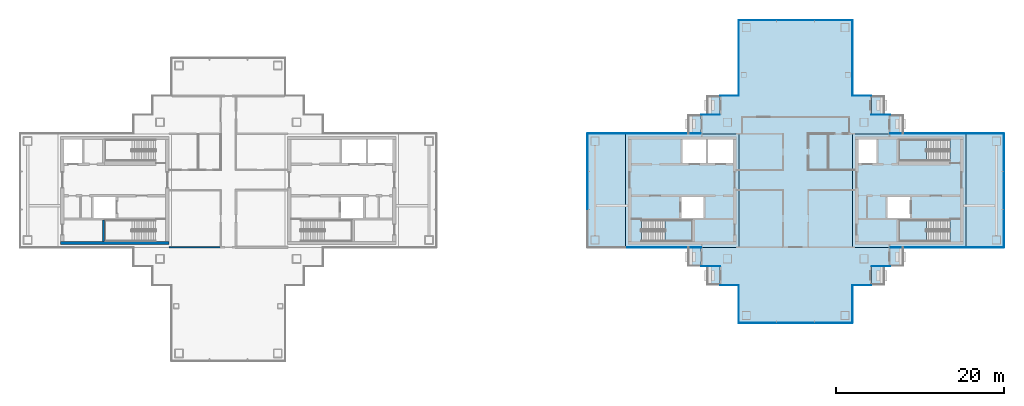
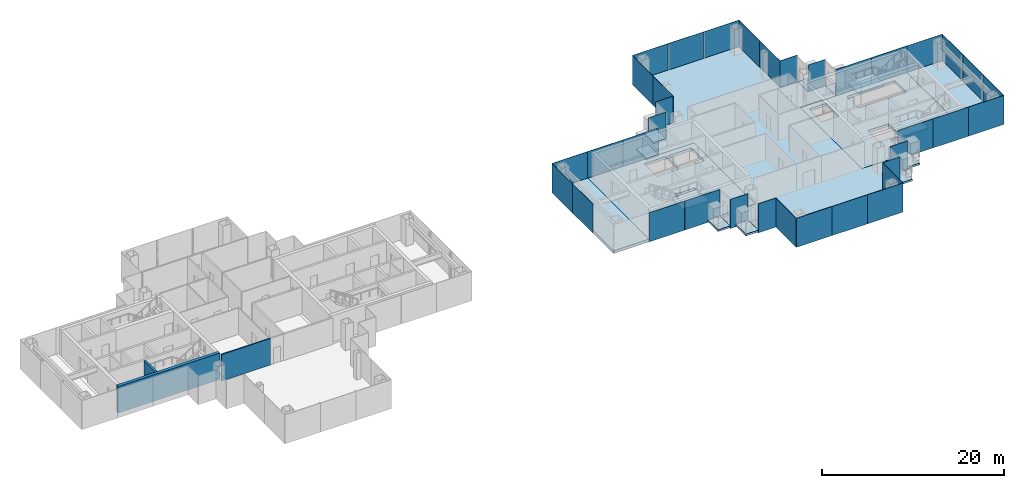
# One storey, part 8 of 16: 36 plates, 16 slabs, 3 walls, 22 elements without a shape of their own.
"""IFC4 building model written with IfcOpenShell, lengths in metres."""

from ifc_helpers import new_model, si_unit, direction, frame, frame_2d, origin, origin_2d, place, context, subcontext, project, spatial, polyline, rectangle, outline, extrude, material, layer, layer_set, type_object, element, aggregate, save


model = new_model("IFC4")

# Units and contexts
model_context = context("Model", 3, precision=1e-05, world=origin(), true_north=direction((0.0, 1.0)))
body_context = subcontext(model_context, "Body", "Model", "MODEL_VIEW")
ifc_project = project(units=[si_unit("LENGTHUNIT", "METRE"), si_unit("AREAUNIT", "SQUARE_METRE"), si_unit("VOLUMEUNIT", "CUBIC_METRE"), si_unit("PLANEANGLEUNIT", "RADIAN"), si_unit("MASSUNIT", "GRAM", prefix="KILO")], contexts=[model_context])

# Site, building, storey
site_placement = place(None, origin())
site = spatial("IfcSite", under=ifc_project, at=site_placement, CompositionType="ELEMENT")
building_placement = place(site_placement, origin())
building = spatial("IfcBuilding", under=site, at=building_placement, Name="Shamsa Quay Exchange Towers", CompositionType="ELEMENT")
storey_placement = place(building_placement, frame((0.0, 0.0, 213.89990234375)))
storey = spatial("IfcBuildingStorey", under=building, at=storey_placement, Name="L51", CompositionType="ELEMENT", Elevation=213.89990234375)

# Slabs
ifc_material_1 = material(Name="Precast concrete C40/50", Category="concrete")
ifc_layer_1 = layer(ifc_material_1, 0.25)
ifc_layer_set_1 = layer_set([ifc_layer_1], Name="BALCONY SLAB 250")
slab_type_1 = type_object("IfcSlabType", Name="BALCONY SLAB 250", PredefinedType="FLOOR", material=ifc_layer_set_1)
slab_1_placement = place(storey_placement, frame((0.0, 0.0, -0.25)))
element("IfcSlab", 1, at=slab_1_placement, inside=storey, type_object=slab_type_1, Name="Balcony T2-PKEN L51", PredefinedType="FLOOR", context=body_context, shape_type="SweptSolid", body=[
    extrude(outline(polyline([(24.75, 11.25), (24.75, 9.0380859375), (23.199951171875, 9.0380859375), (23.199951171875, 11.25), (24.75, 11.25)])), origin(), (0.0, 0.0, 1.0), 0.25),
])
slab_2_placement = place(storey_placement, frame((0.0, 0.0, -0.25)))
element("IfcSlab", 2, at=slab_2_placement, inside=storey, type_object=slab_type_1, Name="Balcony T2-PKEN L51", PredefinedType="FLOOR", context=body_context, shape_type="SweptSolid", body=[
    extrude(outline(polyline([(22.5, 9.0), (22.5, 6.7880859375), (20.949951171875, 6.7880859375), (20.949951171875, 9.0), (22.5, 9.0)])), origin(), (0.0, 0.0, 1.0), 0.25),
])
slab_3_placement = place(storey_placement, frame((0.0, 0.0, -0.25)))
element("IfcSlab", 3, at=slab_3_placement, inside=storey, type_object=slab_type_1, Name="Balcony T2-PKES L51", PredefinedType="FLOOR", context=body_context, shape_type="SweptSolid", body=[
    extrude(outline(polyline([(42.75, 9.0380859375), (42.75, 11.25), (44.300048828125, 11.25), (44.300048828125, 9.0380859375), (42.75, 9.0380859375)])), origin(), (0.0, 0.0, 1.0), 0.25),
])
slab_4_placement = place(storey_placement, frame((0.0, 0.0, -0.25)))
element("IfcSlab", 4, at=slab_4_placement, inside=storey, type_object=slab_type_1, Name="Balcony T2-PKES L51", PredefinedType="FLOOR", context=body_context, shape_type="SweptSolid", body=[
    extrude(outline(polyline([(45.0, 6.7880859375), (45.0, 9.0), (46.550048828125, 9.0), (46.550048828125, 6.7880859375), (45.0, 6.7880859375)])), origin(), (0.0, 0.0, 1.0), 0.25),
])
slab_5_placement = place(storey_placement, frame((0.0, 0.0, -0.25)))
element("IfcSlab", 5, at=slab_5_placement, inside=storey, type_object=slab_type_1, Name="Balcony T2-PKWN L51", PredefinedType="FLOOR", context=body_context, shape_type="SweptSolid", body=[
    extrude(outline(polyline([(22.5, -6.7880859375), (22.5, -9.0), (20.949951171875, -9.0), (20.949951171875, -6.7880859375), (22.5, -6.7880859375)])), origin(), (0.0, 0.0, 1.0), 0.25),
])
slab_6_placement = place(storey_placement, frame((0.0, 0.0, -0.25)))
element("IfcSlab", 6, at=slab_6_placement, inside=storey, type_object=slab_type_1, Name="Balcony T2-PKWN L51", PredefinedType="FLOOR", context=body_context, shape_type="SweptSolid", body=[
    extrude(outline(polyline([(24.75, -9.0380859375), (24.75, -11.25), (23.199951171875, -11.25), (23.199951171875, -9.0380859375), (24.75, -9.0380859375)])), origin(), (0.0, 0.0, 1.0), 0.25),
])
slab_7_placement = place(storey_placement, frame((0.0, 0.0, -0.25)))
element("IfcSlab", 7, at=slab_7_placement, inside=storey, type_object=slab_type_1, Name="Balcony T2-PKWS L51", PredefinedType="FLOOR", context=body_context, shape_type="SweptSolid", body=[
    extrude(outline(polyline([(42.75, -11.25), (42.75, -9.0380859375), (44.300048828125, -9.0380859375), (44.300048828125, -11.25), (42.75, -11.25)])), origin(), (0.0, 0.0, 1.0), 0.25),
])
slab_8_placement = place(storey_placement, frame((0.0, 0.0, -0.25)))
element("IfcSlab", 8, at=slab_8_placement, inside=storey, type_object=slab_type_1, Name="Balcony T2-PKWS L51", PredefinedType="FLOOR", context=body_context, shape_type="SweptSolid", body=[
    extrude(outline(polyline([(45.0, -9.0), (45.0, -6.7880859375), (46.550048828125, -6.7880859375), (46.550048828125, -9.0), (45.0, -9.0)])), origin(), (0.0, 0.0, 1.0), 0.25),
])
ifc_material_2 = material(Name="Concrete C50/60", Category="concrete")
ifc_layer_2 = layer(ifc_material_2, 0.35009765625)
ifc_layer_set_2 = layer_set([ifc_layer_2], Name="CORE FLOOR 350 C50/60")
slab_type_2 = type_object("IfcSlabType", Name="CORE FLOOR 350 C50/60", PredefinedType="FLOOR", material=ifc_layer_set_2)
slab_9_placement = place(storey_placement, frame((0.0, 0.0, -0.349853515625)))
element("IfcSlab", 9, at=slab_9_placement, inside=storey, type_object=slab_type_2, Name="Core floor T2A", PredefinedType="FLOOR", context=body_context, shape_type="SweptSolid", body=[
    extrude(outline(polyline([(13.5, -6.75), (27.0, -6.75), (27.0, 6.75), (13.5, 6.75), (13.5, -6.75)]), holes=[polyline([(15.400634765625, -6.050048828125), (15.400634765625, -3.5), (21.5, -3.5), (21.5, -6.050048828125), (15.400634765625, -6.050048828125)]), polyline([(20.300048828125, 3.25), (20.300048828125, 6.050048828125), (23.10009765625, 6.050048828125), (23.10009765625, 3.25), (20.300048828125, 3.25)]), polyline([(23.35009765625, 3.25), (23.35009765625, 6.050048828125), (26.300048828125, 6.050048828125), (26.300048828125, 3.25), (23.35009765625, 3.25)]), polyline([(20.14990234375, -3.25), (20.14990234375, -0.75), (22.800048828125, -0.75), (22.800048828125, -3.25), (20.14990234375, -3.25)])]), origin(), (0.0, 0.0, 1.0), 0.349853515625),
])
slab_10_placement = place(storey_placement, frame((0.0, 0.0, -0.349853515625)))
element("IfcSlab", 10, at=slab_10_placement, inside=storey, type_object=slab_type_2, Name="Core floor T2B", PredefinedType="FLOOR", context=body_context, shape_type="SweptSolid", body=[
    extrude(outline(polyline([(54.0, -6.75), (54.0, 6.75), (40.5, 6.75), (40.5, -6.75), (54.0, -6.75)]), holes=[polyline([(52.099365234375, -3.5), (52.099365234375, -6.050048828125), (46.0, -6.050048828125), (46.0, -3.5), (52.099365234375, -3.5)]), polyline([(52.099365234375, 6.050048828125), (52.099365234375, 3.5), (46.0, 3.5), (46.0, 6.050048828125), (52.099365234375, 6.050048828125)]), polyline([(43.35009765625, 3.25), (41.199951171875, 3.25), (41.199951171875, 6.050048828125), (43.35009765625, 6.050048828125), (43.35009765625, 3.25)]), polyline([(47.35009765625, -3.25), (44.699951171875, -3.25), (44.699951171875, -0.75), (47.35009765625, -0.75), (47.35009765625, -3.25)])]), origin(), (0.0, 0.0, 1.0), 0.349853515625),
])

# Stair, slab
ifc_material_3 = material(Name="Concrete C40/50", Category="concrete")
stair_type = type_object("IfcStairType", Name="EXIT STAIR 22 RISERS 177 MM", PredefinedType="HALF_TURN_STAIR", material=ifc_material_3)
stair_1_placement = place(storey_placement, origin())
stair_1 = element("IfcStair", 11, at=stair_1_placement, inside=storey, type_object=stair_type, Name="L51 Exit stair ST4", PredefinedType="HALF_TURN_STAIR")
ifc_layer_3 = layer(ifc_material_3, 0.199951171875)
ifc_layer_set_3 = layer_set([ifc_layer_3], Name="CORE STAIR LANDING")
slab_type_3 = type_object("IfcSlabType", Name="CORE STAIR LANDING", PredefinedType="LANDING", material=ifc_layer_set_3)
slab_11_placement = place(storey_placement, frame((0.0, 0.0, 1.75)))
slab_11 = element("IfcSlab", 12, at=slab_11_placement, type_object=slab_type_3, Name="ST4 landing 1", PredefinedType="LANDING", context=body_context, shape_type="SweptSolid", body=[
    extrude(outline(polyline([(18.199951171875, -6.050048828125), (21.5, -6.050048828125), (21.5, -3.5), (18.199951171875, -3.5), (18.199951171875, -6.050048828125)])), origin(), (0.0, 0.0, 1.0), 0.2001953125),
])
aggregate(stair_1, [slab_11])

stair_2_placement = place(storey_placement, origin())
stair_2 = element("IfcStair", 13, at=stair_2_placement, inside=storey, type_object=stair_type, Name="L51 Exit stair ST5", PredefinedType="HALF_TURN_STAIR")
slab_12_placement = place(storey_placement, frame((0.0, 0.0, 1.75)))
slab_12 = element("IfcSlab", 14, at=slab_12_placement, type_object=slab_type_3, Name="ST5 landing 1", PredefinedType="LANDING", context=body_context, shape_type="SweptSolid", body=[
    extrude(outline(polyline([(49.300048828125, -3.5), (46.0, -3.5), (46.0, -6.050048828125), (49.300048828125, -6.050048828125), (49.300048828125, -3.5)])), origin(), (0.0, 0.0, 1.0), 0.2001953125),
])
aggregate(stair_2, [slab_12])

stair_3_placement = place(storey_placement, origin())
stair_3 = element("IfcStair", 15, at=stair_3_placement, inside=storey, type_object=stair_type, Name="L51 Exit stair ST6", PredefinedType="HALF_TURN_STAIR")
slab_13_placement = place(storey_placement, frame((0.0, 0.0, 1.75)))
slab_13 = element("IfcSlab", 16, at=slab_13_placement, type_object=slab_type_3, Name="ST6 landing 1", PredefinedType="LANDING", context=body_context, shape_type="SweptSolid", body=[
    extrude(outline(polyline([(49.300048828125, 6.050048828125), (46.0, 6.050048828125), (46.0, 3.5), (49.300048828125, 3.5), (49.300048828125, 6.050048828125)])), origin(), (0.0, 0.0, 1.0), 0.2001953125),
])
aggregate(stair_3, [slab_13])

# Curtain wall, plate
ifc_material_4 = material(Name="Aluminium EN AW-6063 T6, black anodised", Category="aluminium")
ifc_layer_4 = layer(ifc_material_4, 0.280029296875)
ifc_layer_set_4 = layer_set([ifc_layer_4], Name="CW-1 UNITISED VISION GLASS")
curtain_wall_type_1 = type_object("IfcCurtainWallType", Name="CW-1 UNITISED VISION GLASS", PredefinedType="NOTDEFINED", material=ifc_layer_set_4)
curtain_wall_1_placement = place(storey_placement, origin())
curtain_wall_1 = element("IfcCurtainWall", 17, at=curtain_wall_1_placement, inside=storey, type_object=curtain_wall_type_1, Name="CW1 T2-FLK-V-W L51", PredefinedType="NOTDEFINED")
ifc_material_5 = material(Name="Glass, laminated, dark tinted", Category="glass")
ifc_layer_5 = layer(ifc_material_5, 0.0400390625)
ifc_layer_set_5 = layer_set([ifc_layer_5], Name="CW-1 VISION GLASS 40")
plate_type_1 = type_object("IfcPlateType", Name="CW-1 VISION GLASS 40", PredefinedType="CURTAIN_PANEL", material=ifc_layer_set_5)
plate_1_placement = place(storey_placement, frame((56.25, -6.77001953125, -0.349853515625)))
plate_1 = element("IfcPlate", 18, at=plate_1_placement, type_object=plate_type_1, Name="CW1 glass panel", PredefinedType="CURTAIN_PANEL", context=body_context, shape_type="SweptSolid", body=[
    extrude(rectangle(XDim=4.5, YDim=0.0400390625, at=origin_2d()), origin(), (0.0, 0.0, 1.0), 3.89990234375),
])
aggregate(curtain_wall_1, [plate_1])

# Curtain wall, plates
curtain_wall_2_placement = place(storey_placement, origin())
curtain_wall_2 = element("IfcCurtainWall", 19, at=curtain_wall_2_placement, inside=storey, type_object=curtain_wall_type_1, Name="CW1 T2-END-V- L51", PredefinedType="NOTDEFINED")
plate_2_placement = place(storey_placement, frame((58.52001953125, -4.50244140625, -0.349853515625), z_axis=(0.0, 0.0, 1.0), x_axis=(0.0, 1.0, 0.0)))
plate_2 = element("IfcPlate", 20, at=plate_2_placement, type_object=plate_type_1, Name="CW1 glass panel", PredefinedType="CURTAIN_PANEL", context=body_context, shape_type="SweptSolid", body=[
    extrude(rectangle(XDim=4.4951171875, YDim=0.0400390625, at=origin_2d()), origin(), (0.0, 0.0, 1.0), 3.89990234375),
])
plate_3_placement = place(storey_placement, frame((58.52001953125, 0.0, -0.349853515625), z_axis=(0.0, 0.0, 1.0), x_axis=(0.0, 1.0, 0.0)))
plate_3 = element("IfcPlate", 21, at=plate_3_placement, type_object=plate_type_1, Name="CW1 glass panel", PredefinedType="CURTAIN_PANEL", context=body_context, shape_type="SweptSolid", body=[
    extrude(rectangle(XDim=4.489990234375, YDim=0.0400390625, at=origin_2d()), origin(), (0.0, 0.0, 1.0), 3.89990234375),
])
plate_4_placement = place(storey_placement, frame((58.52001953125, 4.50244140625, -0.349853515625), z_axis=(0.0, 0.0, 1.0), x_axis=(0.0, 1.0, 0.0)))
plate_4 = element("IfcPlate", 22, at=plate_4_placement, type_object=plate_type_1, Name="CW1 glass panel", PredefinedType="CURTAIN_PANEL", context=body_context, shape_type="SweptSolid", body=[
    extrude(rectangle(XDim=4.4951171875, YDim=0.0400390625, at=origin_2d()), origin(), (0.0, 0.0, 1.0), 3.89990234375),
])
aggregate(curtain_wall_2, [plate_2, plate_3, plate_4])

# Curtain wall, plate
curtain_wall_3_placement = place(storey_placement, origin())
curtain_wall_3 = element("IfcCurtainWall", 23, at=curtain_wall_3_placement, inside=storey, type_object=curtain_wall_type_1, Name="CW1 T2-FLK-V-E L51", PredefinedType="NOTDEFINED")
plate_5_placement = place(storey_placement, frame((56.25, 6.77001953125, -0.349853515625), z_axis=(0.0, 0.0, 1.0), x_axis=(-1.0, 0.0, 0.0)))
plate_5 = element("IfcPlate", 24, at=plate_5_placement, type_object=plate_type_1, Name="CW1 glass panel", PredefinedType="CURTAIN_PANEL", context=body_context, shape_type="SweptSolid", body=[
    extrude(rectangle(XDim=4.5, YDim=0.0400390625, at=origin_2d()), origin(), (0.0, 0.0, 1.0), 3.89990234375),
])
aggregate(curtain_wall_3, [plate_5])

# Curtain wall, plates
curtain_wall_4_placement = place(storey_placement, origin())
curtain_wall_4 = element("IfcCurtainWall", 25, at=curtain_wall_4_placement, inside=storey, type_object=curtain_wall_type_1, Name="CW1 T2-FLK-U+S L51", PredefinedType="NOTDEFINED")
plate_6_placement = place(storey_placement, frame((40.52001953125, 13.52587890625, -0.349853515625), z_axis=(0.0, 0.0, 1.0), x_axis=(0.0, 1.0, 0.0)))
plate_6 = element("IfcPlate", 26, at=plate_6_placement, type_object=plate_type_1, Name="CW1 glass panel", PredefinedType="CURTAIN_PANEL", context=body_context, shape_type="SweptSolid", body=[
    extrude(rectangle(XDim=4.47607421875, YDim=0.0400390625, at=origin_2d()), origin(), (0.0, 0.0, 1.0), 3.89990234375),
])
plate_7_placement = place(storey_placement, frame((40.52001953125, 18.011962890625, -0.349853515625), z_axis=(0.0, 0.0, 1.0), x_axis=(0.0, 1.0, 0.0)))
plate_7 = element("IfcPlate", 27, at=plate_7_placement, type_object=plate_type_1, Name="CW1 glass panel", PredefinedType="CURTAIN_PANEL", context=body_context, shape_type="SweptSolid", body=[
    extrude(rectangle(XDim=4.47607421875, YDim=0.0400390625, at=origin_2d()), origin(), (0.0, 0.0, 1.0), 3.89990234375),
])
aggregate(curtain_wall_4, [plate_6, plate_7])

curtain_wall_5_placement = place(storey_placement, origin())
curtain_wall_5 = element("IfcCurtainWall", 28, at=curtain_wall_5_placement, inside=storey, type_object=curtain_wall_type_1, Name="CW1 T2-END-U+ L51", PredefinedType="NOTDEFINED")
plate_8_placement = place(storey_placement, frame((38.25244140625, 20.27001953125, -0.349853515625), z_axis=(0.0, 0.0, 1.0), x_axis=(-1.0, 0.0, 0.0)))
plate_8 = element("IfcPlate", 29, at=plate_8_placement, type_object=plate_type_1, Name="CW1 glass panel", PredefinedType="CURTAIN_PANEL", context=body_context, shape_type="SweptSolid", body=[
    extrude(rectangle(XDim=4.4951171875, YDim=0.0400390625, at=origin_2d()), origin(), (0.0, 0.0, 1.0), 3.89990234375),
])
plate_9_placement = place(storey_placement, frame((33.75, 20.27001953125, -0.349853515625), z_axis=(0.0, 0.0, 1.0), x_axis=(-1.0, 0.0, 0.0)))
plate_9 = element("IfcPlate", 30, at=plate_9_placement, type_object=plate_type_1, Name="CW1 glass panel", PredefinedType="CURTAIN_PANEL", context=body_context, shape_type="SweptSolid", body=[
    extrude(rectangle(XDim=4.489990234375, YDim=0.0400390625, at=origin_2d()), origin(), (0.0, 0.0, 1.0), 3.89990234375),
])
plate_10_placement = place(storey_placement, frame((29.24755859375, 20.27001953125, -0.349853515625), z_axis=(0.0, 0.0, 1.0), x_axis=(-1.0, 0.0, 0.0)))
plate_10 = element("IfcPlate", 31, at=plate_10_placement, type_object=plate_type_1, Name="CW1 glass panel", PredefinedType="CURTAIN_PANEL", context=body_context, shape_type="SweptSolid", body=[
    extrude(rectangle(XDim=4.4951171875, YDim=0.0400390625, at=origin_2d()), origin(), (0.0, 0.0, 1.0), 3.89990234375),
])
aggregate(curtain_wall_5, [plate_8, plate_9, plate_10])

curtain_wall_6_placement = place(storey_placement, origin())
curtain_wall_6 = element("IfcCurtainWall", 32, at=curtain_wall_6_placement, inside=storey, type_object=curtain_wall_type_1, Name="CW1 T2-FLK-U+N L51", PredefinedType="NOTDEFINED")
plate_11_placement = place(storey_placement, frame((26.97998046875, 18.00244140625, -0.349853515625), z_axis=(0.0, 0.0, 1.0), x_axis=(0.0, -1.0, 0.0)))
plate_11 = element("IfcPlate", 33, at=plate_11_placement, type_object=plate_type_1, Name="CW1 glass panel", PredefinedType="CURTAIN_PANEL", context=body_context, shape_type="SweptSolid", body=[
    extrude(rectangle(XDim=4.4951171875, YDim=0.0400390625, at=origin_2d()), origin(), (0.0, 0.0, 1.0), 3.89990234375),
])
plate_12_placement = place(storey_placement, frame((26.97998046875, 13.49755859375, -0.349853515625), z_axis=(0.0, 0.0, 1.0), x_axis=(0.0, -1.0, 0.0)))
plate_12 = element("IfcPlate", 34, at=plate_12_placement, type_object=plate_type_1, Name="CW1 glass panel", PredefinedType="CURTAIN_PANEL", context=body_context, shape_type="SweptSolid", body=[
    extrude(rectangle(XDim=4.4951171875, YDim=0.0400390625, at=origin_2d()), origin(), (0.0, 0.0, 1.0), 3.89990234375),
])
aggregate(curtain_wall_6, [plate_11, plate_12])

# Curtain wall, plate
curtain_wall_7_placement = place(storey_placement, origin())
curtain_wall_7 = element("IfcCurtainWall", 35, at=curtain_wall_7_placement, inside=storey, type_object=curtain_wall_type_1, Name="CW1 T2-FLK-V+E L51", PredefinedType="NOTDEFINED")
plate_13_placement = place(storey_placement, frame((11.25, 6.77001953125, -0.349853515625), z_axis=(0.0, 0.0, 1.0), x_axis=(-1.0, 0.0, 0.0)))
plate_13 = element("IfcPlate", 36, at=plate_13_placement, type_object=plate_type_1, Name="CW1 glass panel", PredefinedType="CURTAIN_PANEL", context=body_context, shape_type="SweptSolid", body=[
    extrude(rectangle(XDim=4.5, YDim=0.0400390625, at=origin_2d()), origin(), (0.0, 0.0, 1.0), 3.89990234375),
])
aggregate(curtain_wall_7, [plate_13])

# Curtain wall, plates
curtain_wall_8_placement = place(storey_placement, origin())
curtain_wall_8 = element("IfcCurtainWall", 37, at=curtain_wall_8_placement, inside=storey, type_object=curtain_wall_type_1, Name="CW1 T2-END-V+ L51", PredefinedType="NOTDEFINED")
plate_14_placement = place(storey_placement, frame((8.97998046875, 4.50244140625, -0.349853515625), z_axis=(0.0, 0.0, 1.0), x_axis=(0.0, -1.0, 0.0)))
plate_14 = element("IfcPlate", 38, at=plate_14_placement, type_object=plate_type_1, Name="CW1 glass panel", PredefinedType="CURTAIN_PANEL", context=body_context, shape_type="SweptSolid", body=[
    extrude(rectangle(XDim=4.4951171875, YDim=0.0400390625, at=origin_2d()), origin(), (0.0, 0.0, 1.0), 3.89990234375),
])
plate_15_placement = place(storey_placement, frame((8.97998046875, 0.0, -0.349853515625), z_axis=(0.0, 0.0, 1.0), x_axis=(0.0, -1.0, 0.0)))
plate_15 = element("IfcPlate", 39, at=plate_15_placement, type_object=plate_type_1, Name="CW1 glass panel", PredefinedType="CURTAIN_PANEL", context=body_context, shape_type="SweptSolid", body=[
    extrude(rectangle(XDim=4.489990234375, YDim=0.0400390625, at=origin_2d()), origin(), (0.0, 0.0, 1.0), 3.89990234375),
])
aggregate(curtain_wall_8, [plate_14, plate_15])

# Curtain wall, plate
curtain_wall_9_placement = place(storey_placement, origin())
curtain_wall_9 = element("IfcCurtainWall", 40, at=curtain_wall_9_placement, inside=storey, type_object=curtain_wall_type_1, Name="CW1 T2-FLK-U-N L51", PredefinedType="NOTDEFINED")
plate_16_placement = place(storey_placement, frame((26.97998046875, -13.51904296875, -0.349853515625), z_axis=(0.0, 0.0, 1.0), x_axis=(0.0, -1.0, 0.0)))
plate_16 = element("IfcPlate", 41, at=plate_16_placement, type_object=plate_type_1, Name="CW1 glass panel", PredefinedType="CURTAIN_PANEL", context=body_context, shape_type="SweptSolid", body=[
    extrude(rectangle(XDim=4.4619140625, YDim=0.0400390625, at=origin_2d()), origin(), (0.0, 0.0, 1.0), 3.89990234375),
])
aggregate(curtain_wall_9, [plate_16])

# Curtain wall, plates
curtain_wall_10_placement = place(storey_placement, origin())
curtain_wall_10 = element("IfcCurtainWall", 42, at=curtain_wall_10_placement, inside=storey, type_object=curtain_wall_type_1, Name="CW1 T2-END-U- L51", PredefinedType="NOTDEFINED")
plate_17_placement = place(storey_placement, frame((29.24755859375, -15.77001953125, -0.349853515625)))
plate_17 = element("IfcPlate", 43, at=plate_17_placement, type_object=plate_type_1, Name="CW1 glass panel", PredefinedType="CURTAIN_PANEL", context=body_context, shape_type="SweptSolid", body=[
    extrude(rectangle(XDim=4.4951171875, YDim=0.0400390625, at=origin_2d()), origin(), (0.0, 0.0, 1.0), 3.89990234375),
])
plate_18_placement = place(storey_placement, frame((33.75, -15.77001953125, -0.349853515625)))
plate_18 = element("IfcPlate", 44, at=plate_18_placement, type_object=plate_type_1, Name="CW1 glass panel", PredefinedType="CURTAIN_PANEL", context=body_context, shape_type="SweptSolid", body=[
    extrude(rectangle(XDim=4.489990234375, YDim=0.0400390625, at=origin_2d()), origin(), (0.0, 0.0, 1.0), 3.89990234375),
])
plate_19_placement = place(storey_placement, frame((38.25244140625, -15.77001953125, -0.349853515625)))
plate_19 = element("IfcPlate", 45, at=plate_19_placement, type_object=plate_type_1, Name="CW1 glass panel", PredefinedType="CURTAIN_PANEL", context=body_context, shape_type="SweptSolid", body=[
    extrude(rectangle(XDim=4.4951171875, YDim=0.0400390625, at=origin_2d()), origin(), (0.0, 0.0, 1.0), 3.89990234375),
])
aggregate(curtain_wall_10, [plate_17, plate_18, plate_19])

# Curtain wall, plate
curtain_wall_11_placement = place(storey_placement, origin())
curtain_wall_11 = element("IfcCurtainWall", 46, at=curtain_wall_11_placement, inside=storey, type_object=curtain_wall_type_1, Name="CW1 T2-FLK-U-S L51", PredefinedType="NOTDEFINED")
plate_20_placement = place(storey_placement, frame((40.52001953125, -13.5, -0.349853515625), z_axis=(0.0, 0.0, 1.0), x_axis=(0.0, 1.0, 0.0)))
plate_20 = element("IfcPlate", 47, at=plate_20_placement, type_object=plate_type_1, Name="CW1 glass panel", PredefinedType="CURTAIN_PANEL", context=body_context, shape_type="SweptSolid", body=[
    extrude(rectangle(XDim=4.5, YDim=0.0400390625, at=origin_2d()), origin(), (0.0, 0.0, 1.0), 3.89990234375),
])
aggregate(curtain_wall_11, [plate_20])

# Curtain wall, plates
ifc_layer_6 = layer(ifc_material_4, 0.303955078125)
ifc_layer_set_6 = layer_set([ifc_layer_6], Name="CW-2 UNITISED OPAQUE SPANDREL GLASS")
curtain_wall_type_2 = type_object("IfcCurtainWallType", Name="CW-2 UNITISED OPAQUE SPANDREL GLASS", PredefinedType="NOTDEFINED", material=ifc_layer_set_6)
curtain_wall_12_placement = place(storey_placement, origin())
curtain_wall_12 = element("IfcCurtainWall", 48, at=curtain_wall_12_placement, inside=storey, type_object=curtain_wall_type_2, Name="CW2 T2-FLK-V-W L51", PredefinedType="NOTDEFINED")
ifc_material_6 = material(Name="Glass, laminated, black enamelled opaque", Category="glass")
ifc_layer_7 = layer(ifc_material_6, 0.0439453125)
ifc_layer_set_7 = layer_set([ifc_layer_7], Name="CW-2 SPANDREL GLASS 44")
plate_type_2 = type_object("IfcPlateType", Name="CW-2 SPANDREL GLASS 44", PredefinedType="CURTAIN_PANEL", material=ifc_layer_set_7)
plate_21_placement = place(storey_placement, frame((47.27587890625, -6.77197265625, -0.349853515625)))
plate_21 = element("IfcPlate", 49, at=plate_21_placement, type_object=plate_type_2, Name="CW2 glass panel", PredefinedType="CURTAIN_PANEL", context=body_context, shape_type="SweptSolid", body=[
    extrude(rectangle(XDim=4.47607421875, YDim=0.0439453125, at=origin_2d()), origin(), (0.0, 0.0, 1.0), 3.89990234375),
])
plate_22_placement = place(storey_placement, frame((51.761962890625, -6.77197265625, -0.349853515625)))
plate_22 = element("IfcPlate", 50, at=plate_22_placement, type_object=plate_type_2, Name="CW2 glass panel", PredefinedType="CURTAIN_PANEL", context=body_context, shape_type="SweptSolid", body=[
    extrude(rectangle(XDim=4.47607421875, YDim=0.0439453125, at=origin_2d()), origin(), (0.0, 0.0, 1.0), 3.89990234375),
])
aggregate(curtain_wall_12, [plate_21, plate_22])

curtain_wall_13_placement = place(storey_placement, origin())
curtain_wall_13 = element("IfcCurtainWall", 51, at=curtain_wall_13_placement, inside=storey, type_object=curtain_wall_type_2, Name="CW2 T2-FLK-V-E L51", PredefinedType="NOTDEFINED")
plate_23_placement = place(storey_placement, frame((51.75244140625, 6.77197265625, -0.349853515625), z_axis=(0.0, 0.0, 1.0), x_axis=(-1.0, 0.0, 0.0)))
plate_23 = element("IfcPlate", 52, at=plate_23_placement, type_object=plate_type_2, Name="CW2 glass panel", PredefinedType="CURTAIN_PANEL", context=body_context, shape_type="SweptSolid", body=[
    extrude(rectangle(XDim=4.4951171875, YDim=0.0439453125, at=origin_2d()), origin(), (0.0, 0.0, 1.0), 3.89990234375),
])
plate_24_placement = place(storey_placement, frame((47.24755859375, 6.77197265625, -0.349853515625), z_axis=(0.0, 0.0, 1.0), x_axis=(-1.0, 0.0, 0.0)))
plate_24 = element("IfcPlate", 53, at=plate_24_placement, type_object=plate_type_2, Name="CW2 glass panel", PredefinedType="CURTAIN_PANEL", context=body_context, shape_type="SweptSolid", body=[
    extrude(rectangle(XDim=4.4951171875, YDim=0.0439453125, at=origin_2d()), origin(), (0.0, 0.0, 1.0), 3.89990234375),
])
aggregate(curtain_wall_13, [plate_23, plate_24])

curtain_wall_14_placement = place(storey_placement, origin())
curtain_wall_14 = element("IfcCurtainWall", 54, at=curtain_wall_14_placement, inside=storey, type_object=curtain_wall_type_2, Name="CW2 T2-FLK-V+E L51", PredefinedType="NOTDEFINED")
plate_25_placement = place(storey_placement, frame((20.22412109375, 6.77197265625, -0.349853515625), z_axis=(0.0, 0.0, 1.0), x_axis=(-1.0, 0.0, 0.0)))
plate_25 = element("IfcPlate", 55, at=plate_25_placement, type_object=plate_type_2, Name="CW2 glass panel", PredefinedType="CURTAIN_PANEL", context=body_context, shape_type="SweptSolid", body=[
    extrude(rectangle(XDim=4.47607421875, YDim=0.0439453125, at=origin_2d()), origin(), (0.0, 0.0, 1.0), 3.89990234375),
])
plate_26_placement = place(storey_placement, frame((15.738037109375, 6.77197265625, -0.349853515625), z_axis=(0.0, 0.0, 1.0), x_axis=(-1.0, 0.0, 0.0)))
plate_26 = element("IfcPlate", 56, at=plate_26_placement, type_object=plate_type_2, Name="CW2 glass panel", PredefinedType="CURTAIN_PANEL", context=body_context, shape_type="SweptSolid", body=[
    extrude(rectangle(XDim=4.47607421875, YDim=0.0439453125, at=origin_2d()), origin(), (0.0, 0.0, 1.0), 3.89990234375),
])
aggregate(curtain_wall_14, [plate_25, plate_26])

curtain_wall_15_placement = place(storey_placement, origin())
curtain_wall_15 = element("IfcCurtainWall", 57, at=curtain_wall_15_placement, inside=storey, type_object=curtain_wall_type_2, Name="CW2 T2-FLK-V+W L51", PredefinedType="NOTDEFINED")
plate_27_placement = place(storey_placement, frame((15.74755859375, -6.77197265625, -0.349853515625)))
plate_27 = element("IfcPlate", 58, at=plate_27_placement, type_object=plate_type_2, Name="CW2 glass panel", PredefinedType="CURTAIN_PANEL", context=body_context, shape_type="SweptSolid", body=[
    extrude(rectangle(XDim=4.4951171875, YDim=0.0439453125, at=origin_2d()), origin(), (0.0, 0.0, 1.0), 3.89990234375),
])
plate_28_placement = place(storey_placement, frame((20.25244140625, -6.77197265625, -0.349853515625)))
plate_28 = element("IfcPlate", 59, at=plate_28_placement, type_object=plate_type_2, Name="CW2 glass panel", PredefinedType="CURTAIN_PANEL", context=body_context, shape_type="SweptSolid", body=[
    extrude(rectangle(XDim=4.4951171875, YDim=0.0439453125, at=origin_2d()), origin(), (0.0, 0.0, 1.0), 3.89990234375),
])
aggregate(curtain_wall_15, [plate_27, plate_28])

ifc_layer_8 = layer(ifc_material_4, 0.256103515625)
ifc_layer_set_8 = layer_set([ifc_layer_8], Name="CW-4 POCKET SERRATED GLAZING")
curtain_wall_type_3 = type_object("IfcCurtainWallType", Name="CW-4 POCKET SERRATED GLAZING", PredefinedType="NOTDEFINED", material=ifc_layer_set_8)
curtain_wall_16_placement = place(storey_placement, origin())
curtain_wall_16 = element("IfcCurtainWall", 60, at=curtain_wall_16_placement, inside=storey, type_object=curtain_wall_type_3, Name="CW4 PKWS L51", PredefinedType="NOTDEFINED")
ifc_layer_9 = layer(ifc_material_5, 0.035888671875)
ifc_layer_set_9 = layer_set([ifc_layer_9], Name="CW-4 POCKET GLASS 36")
plate_type_3 = type_object("IfcPlateType", Name="CW-4 POCKET GLASS 36", PredefinedType="CURTAIN_PANEL", material=ifc_layer_set_9)
plate_29_placement = place(storey_placement, frame((43.89404296875, -9.01806640625, -0.349853515625)))
plate_29 = element("IfcPlate", 61, at=plate_29_placement, type_object=plate_type_3, Name="CW4 glass panel", PredefinedType="CURTAIN_PANEL", context=body_context, shape_type="SweptSolid", body=[
    extrude(rectangle(XDim=2.2119140625, YDim=0.035888671875, at=origin_2d()), origin(), (0.0, 0.0, 1.0), 3.89990234375),
])
plate_30_placement = place(storey_placement, frame((41.64599609375, -11.26806640625, -0.349853515625)))
plate_30 = element("IfcPlate", 62, at=plate_30_placement, type_object=plate_type_3, Name="CW4 glass panel", PredefinedType="CURTAIN_PANEL", context=body_context, shape_type="SweptSolid", body=[
    extrude(rectangle(XDim=2.2080078125, YDim=0.035888671875, at=origin_2d()), origin(), (0.0, 0.0, 1.0), 3.89990234375),
])
aggregate(curtain_wall_16, [plate_29, plate_30])

curtain_wall_17_placement = place(storey_placement, origin())
curtain_wall_17 = element("IfcCurtainWall", 63, at=curtain_wall_17_placement, inside=storey, type_object=curtain_wall_type_3, Name="CW4 PKES L51", PredefinedType="NOTDEFINED")
plate_31_placement = place(storey_placement, frame((43.875, 9.01806640625, -0.349853515625), z_axis=(0.0, 0.0, 1.0), x_axis=(-1.0, 0.0, 0.0)))
plate_31 = element("IfcPlate", 64, at=plate_31_placement, type_object=plate_type_3, Name="CW4 glass panel", PredefinedType="CURTAIN_PANEL", context=body_context, shape_type="SweptSolid", body=[
    extrude(rectangle(XDim=2.25, YDim=0.035888671875, at=origin_2d()), origin(), (0.0, 0.0, 1.0), 3.89990234375),
])
plate_32_placement = place(storey_placement, frame((41.625, 11.26806640625, -0.349853515625), z_axis=(0.0, 0.0, 1.0), x_axis=(-1.0, 0.0, 0.0)))
plate_32 = element("IfcPlate", 65, at=plate_32_placement, type_object=plate_type_3, Name="CW4 glass panel", PredefinedType="CURTAIN_PANEL", context=body_context, shape_type="SweptSolid", body=[
    extrude(rectangle(XDim=2.25, YDim=0.035888671875, at=origin_2d()), origin(), (0.0, 0.0, 1.0), 3.89990234375),
])
aggregate(curtain_wall_17, [plate_31, plate_32])

curtain_wall_18_placement = place(storey_placement, origin())
curtain_wall_18 = element("IfcCurtainWall", 66, at=curtain_wall_18_placement, inside=storey, type_object=curtain_wall_type_3, Name="CW4 PKEN L51", PredefinedType="NOTDEFINED")
plate_33_placement = place(storey_placement, frame((25.85400390625, 11.26806640625, -0.349853515625), z_axis=(0.0, 0.0, 1.0), x_axis=(-1.0, 0.0, 0.0)))
plate_33 = element("IfcPlate", 67, at=plate_33_placement, type_object=plate_type_3, Name="CW4 glass panel", PredefinedType="CURTAIN_PANEL", context=body_context, shape_type="SweptSolid", body=[
    extrude(rectangle(XDim=2.2080078125, YDim=0.035888671875, at=origin_2d()), origin(), (0.0, 0.0, 1.0), 3.89990234375),
])
plate_34_placement = place(storey_placement, frame((23.60595703125, 9.01806640625, -0.349853515625), z_axis=(0.0, 0.0, 1.0), x_axis=(-1.0, 0.0, 0.0)))
plate_34 = element("IfcPlate", 68, at=plate_34_placement, type_object=plate_type_3, Name="CW4 glass panel", PredefinedType="CURTAIN_PANEL", context=body_context, shape_type="SweptSolid", body=[
    extrude(rectangle(XDim=2.2119140625, YDim=0.035888671875, at=origin_2d()), origin(), (0.0, 0.0, 1.0), 3.89990234375),
])
aggregate(curtain_wall_18, [plate_33, plate_34])

curtain_wall_19_placement = place(storey_placement, origin())
curtain_wall_19 = element("IfcCurtainWall", 69, at=curtain_wall_19_placement, inside=storey, type_object=curtain_wall_type_3, Name="CW4 PKWN L51", PredefinedType="NOTDEFINED")
plate_35_placement = place(storey_placement, frame((23.625, -9.01806640625, -0.349853515625)))
plate_35 = element("IfcPlate", 70, at=plate_35_placement, type_object=plate_type_3, Name="CW4 glass panel", PredefinedType="CURTAIN_PANEL", context=body_context, shape_type="SweptSolid", body=[
    extrude(rectangle(XDim=2.25, YDim=0.035888671875, at=origin_2d()), origin(), (0.0, 0.0, 1.0), 3.89990234375),
])
plate_36_placement = place(storey_placement, frame((25.875, -11.26806640625, -0.349853515625)))
plate_36 = element("IfcPlate", 71, at=plate_36_placement, type_object=plate_type_3, Name="CW4 glass panel", PredefinedType="CURTAIN_PANEL", context=body_context, shape_type="SweptSolid", body=[
    extrude(rectangle(XDim=2.25, YDim=0.035888671875, at=origin_2d()), origin(), (0.0, 0.0, 1.0), 3.89990234375),
])
aggregate(curtain_wall_19, [plate_35, plate_36])

# Slabs
ifc_layer_10 = layer(ifc_material_3, 0.35009765625)
ifc_layer_set_10 = layer_set([ifc_layer_10], Name="Flat slab 350")
slab_type_4 = type_object("IfcSlabType", Name="Flat slab 350", PredefinedType="FLOOR", material=ifc_layer_set_10)
slab_14_placement = place(storey_placement, frame((0.0, 0.0, -0.349853515625)))
element("IfcSlab", 72, at=slab_14_placement, inside=storey, type_object=slab_type_4, Name="Flat slab T2 L51 4", PredefinedType="FLOOR", context=body_context, shape_type="SweptSolid", body=[
    extrude(outline(polyline([(9.0, -6.75), (13.5, -6.75), (13.5, 6.75), (9.0, 6.75), (9.0, -6.75)])), origin(), (0.0, 0.0, 1.0), 0.349853515625),
])
slab_15_placement = place(storey_placement, frame((0.0, 0.0, -0.349853515625)))
element("IfcSlab", 73, at=slab_15_placement, inside=storey, type_object=slab_type_4, Name="Flat slab T2 L51 5", PredefinedType="FLOOR", context=body_context, shape_type="SweptSolid", body=[
    extrude(outline(polyline([(45.0, -9.0), (45.0, -6.75), (40.5, -6.75), (40.5, 6.75), (45.0, 6.75), (45.0, 9.0), (42.75, 9.0), (42.75, 11.25), (40.5, 11.25), (40.5, 20.25), (27.0, 20.25), (27.0, 11.25), (24.75, 11.25), (24.75, 9.0), (22.5, 9.0), (22.5, 6.75), (27.0, 6.75), (27.0, -6.75), (22.5, -6.75), (22.5, -9.0), (24.75, -9.0), (24.75, -11.25), (27.0, -11.25), (27.0, -15.75), (40.5, -15.75), (40.5, -11.25), (42.75, -11.25), (42.75, -9.0), (45.0, -9.0)])), origin(), (0.0, 0.0, 1.0), 0.349853515625),
])
slab_16_placement = place(storey_placement, frame((0.0, 0.0, -0.349853515625)))
element("IfcSlab", 74, at=slab_16_placement, inside=storey, type_object=slab_type_4, Name="Flat slab T2 L51 6", PredefinedType="FLOOR", context=body_context, shape_type="SweptSolid", body=[
    extrude(outline(polyline([(58.5, 6.75), (54.0, 6.75), (54.0, -6.75), (58.5, -6.75), (58.5, 6.75)])), origin(), (0.0, 0.0, 1.0), 0.349853515625),
])

# Walls
ifc_material_7 = material(Name="Concrete C60/75", Category="concrete")
ifc_layer_11 = layer(ifc_material_7, 0.39990234375)
ifc_layer_set_11 = layer_set([ifc_layer_11], Name="CORE WALL 400 C60/75")
wall_type_1 = type_object("IfcWallType", Name="CORE WALL 400 C60/75", PredefinedType="SHEAR", material=ifc_layer_set_11)
wall_1_placement = place(storey_placement, frame((-40.800048828125, -6.25, 0.0), z_axis=(0.0, 0.0, 1.0), x_axis=(-1.0, 0.0, 0.0)))
element("IfcWall", 75, at=wall_1_placement, inside=storey, type_object=wall_type_1, Name="Core wall T1B-R23-PS", PredefinedType="SHEAR", context=body_context, shape_type="SweptSolid", body=[
    extrude(rectangle(XDim=12.89990234375, YDim=0.39990234375, at=frame_2d((6.449951171875, 0.0))), origin(), (0.0, 0.0, 1.0), 3.550048828125),
])
ifc_material_8 = material(Name="Gypsum board partition on metal studs")
ifc_layer_12 = layer(ifc_material_8, 0.14990234375)
ifc_layer_set_12 = layer_set([ifc_layer_12], Name="Partition 150 mm EI 60")
wall_type_2 = type_object("IfcWallType", Name="Partition 150 mm EI 60", PredefinedType="PARTITIONING", material=ifc_layer_set_12)
wall_2_placement = place(storey_placement, frame((-40.800048828125, -6.75, 0.0)))
element("IfcWall", 76, at=wall_2_placement, inside=storey, type_object=wall_type_2, Name="Partition T1-R23-W17", PredefinedType="PARTITIONING", context=body_context, shape_type="SweptSolid", body=[
    extrude(rectangle(XDim=6.212158203125, YDim=0.14990234375, at=frame_2d((3.10595703125, 0.0))), origin(), (0.0, 0.0, 1.0), 3.550048828125),
])
ifc_layer_13 = layer(ifc_material_2, 0.25)
ifc_layer_set_13 = layer_set([ifc_layer_13], Name="SHAFT WALL 250 C50/60")
wall_type_3 = type_object("IfcWallType", Name="SHAFT WALL 250 C50/60", PredefinedType="SHEAR", material=ifc_layer_set_13)
wall_3_placement = place(storey_placement, frame((-48.625, -6.050048828125, 0.0), z_axis=(0.0, 0.0, 1.0), x_axis=(0.0, 1.0, 0.0)))
element("IfcWall", 77, at=wall_3_placement, inside=storey, type_object=wall_type_3, Name="Shaft wall T1B-R23-STF", PredefinedType="SHEAR", context=body_context, shape_type="SweptSolid", body=[
    extrude(rectangle(XDim=2.550048828125, YDim=0.25, at=frame_2d((1.27490234375, 0.0))), origin(), (0.0, 0.0, 1.0), 3.550048828125),
])

save(model, "model.ifc")
